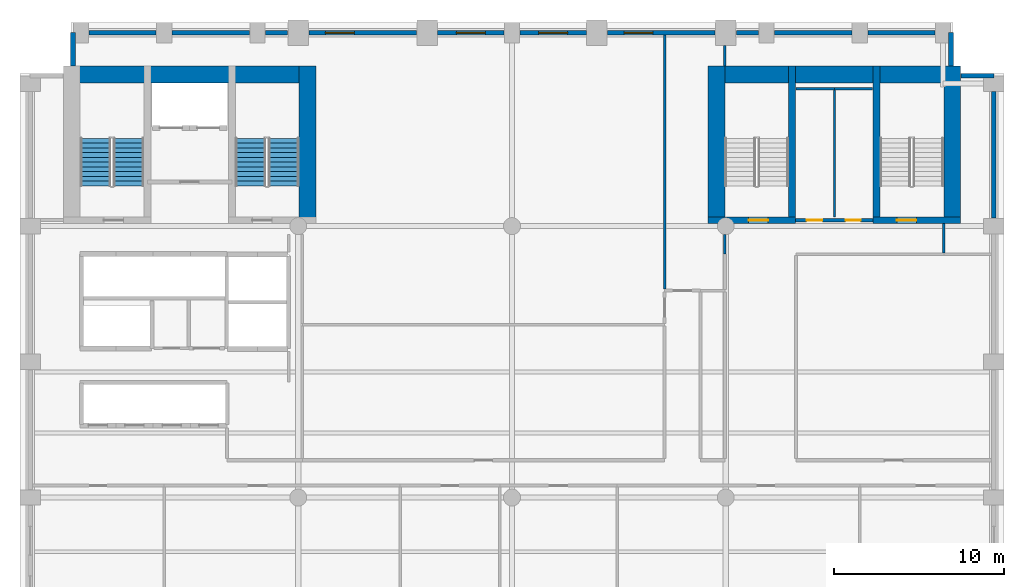
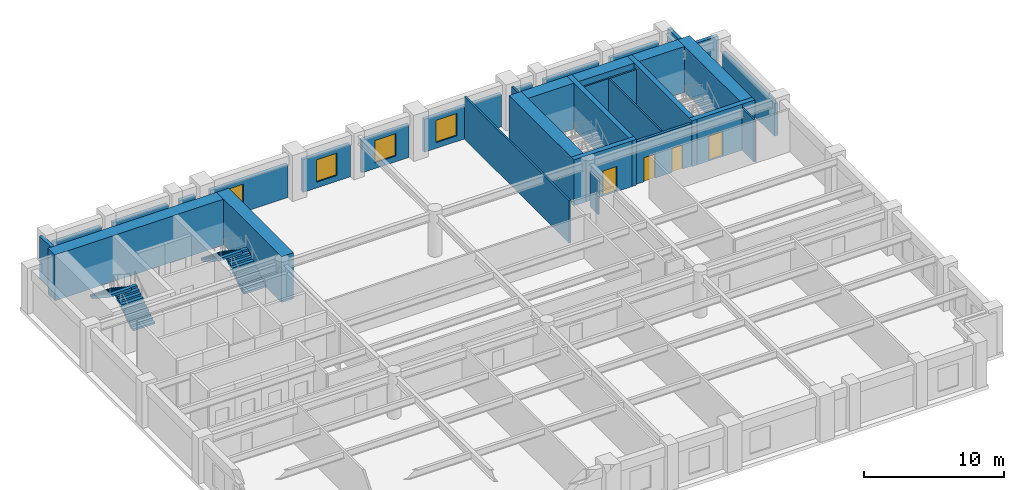
# One storey, part 5 of 8: 31 walls, 4 doors, 4 stair flights, 4 windows, 8 openings, 2 elements without a shape of their own.
"""IFC4 building model written with IfcOpenShell, lengths in metres."""

from ifc_helpers import new_model, si_unit, direction, frame, frame_2d, origin, place, context, subcontext, project, spatial, polyline, rectangle, outline, extrude, material, layer, layer_set, type_object, element, fill, aggregate, save


model = new_model("IFC4")

# Units and contexts
model_context = context("Model", 3, precision=1e-05, world=origin(), true_north=direction((0.0, 1.0)))
body_context = subcontext(model_context, "Body", "Model", "MODEL_VIEW")
ifc_project = project(units=[si_unit("LENGTHUNIT", "METRE"), si_unit("AREAUNIT", "SQUARE_METRE"), si_unit("VOLUMEUNIT", "CUBIC_METRE"), si_unit("PLANEANGLEUNIT", "RADIAN"), si_unit("MASSUNIT", "GRAM", prefix="KILO")], contexts=[model_context])

# Site, building, storey
site_placement = place(None, origin())
site = spatial("IfcSite", under=ifc_project, at=site_placement, CompositionType="ELEMENT")
building_placement = place(site_placement, origin())
building = spatial("IfcBuilding", under=site, at=building_placement, Name="Sulina Concourse Tower", CompositionType="ELEMENT")
storey_placement = place(building_placement, frame((0.0, 0.0, 70.60009765625)))
storey = spatial("IfcBuildingStorey", under=building, at=storey_placement, Name="L17", CompositionType="ELEMENT", Elevation=70.60009765625)

# Wall, openings, doors
ifc_material_1 = material(Name="Gypsum board on steel stud", Category="steel")
ifc_layer_1 = layer(ifc_material_1, 0.219970703125)
ifc_layer_set_1 = layer_set([ifc_layer_1], Name="Gypsum board on steel stud")
wall_type_1 = type_object("IfcWallType", Name="Fire-Rated Lobby & Compartment Wall 220mm", PredefinedType="PARTITIONING", material=ifc_layer_set_1)
wall_1_placement = place(storey_placement, frame((45.719970703125, 34.35009765625, 0.0), z_axis=(0.0, 0.0, 1.0), x_axis=(1.0, 0.0, 0.0)))
wall_1 = element("IfcWall", 1, at=wall_1_placement, inside=storey, type_object=wall_type_1, Name="L17 east core south lobby wall", PredefinedType="PARTITIONING", context=body_context, shape_type="SweptSolid", body=[
    extrude(rectangle(XDim=4.56005859375, YDim=0.219970703125, at=frame_2d((2.280029296875, 0.0))), origin(), (0.0, 0.0, 1.0), 3.699951171875),
])
opening_1_placement = place(wall_1_placement, frame((0.64990234375, 0.0, 0.0)))
opening_1 = element("IfcOpeningElement", 2, at=opening_1_placement, cuts=wall_1, Name="Opening DR-61", PredefinedType="OPENING", context=body_context, shape_type="SweptSolid", body=[
    extrude(rectangle(XDim=0.919921875, YDim=2.10009765625, at=frame_2d((0.4599609375, 1.050048828125))), frame((0.0, 0.119873046875, 0.0), z_axis=(0.0, -1.0, 0.0), x_axis=(1.0, 0.0, 0.0)), (0.0, 0.0, 1.0), 0.239990234375),
])
opening_2_placement = place(wall_1_placement, frame((2.949951171875, 0.0, 0.0)))
opening_2 = element("IfcOpeningElement", 3, at=opening_2_placement, cuts=wall_1, Name="Opening DR-38", PredefinedType="OPENING", context=body_context, shape_type="SweptSolid", body=[
    extrude(rectangle(XDim=0.8798828125, YDim=2.10009765625, at=frame_2d((0.43994140625, 1.050048828125))), frame((0.0, 0.119873046875, 0.0), z_axis=(0.0, -1.0, 0.0), x_axis=(1.0, 0.0, 0.0)), (0.0, 0.0, 1.0), 0.239990234375),
])
ifc_material_2 = material(Name="Oak-veneered fire door leaf")
ifc_layer_2 = layer(ifc_material_2, 0.050048828125)
ifc_layer_set_2 = layer_set([ifc_layer_2], Name="Oak-veneered fire door leaf")
door_type_1 = type_object("IfcDoorType", Name="Accessible WC Door 920x2100", OperationType="NOTDEFINED", PredefinedType="DOOR", material=ifc_layer_set_2)
door_1_placement = place(opening_1_placement, origin())
door_1 = element("IfcDoor", 4, at=door_1_placement, inside=storey, type_object=door_type_1, Name="L17 east core accessible wc door", OperationType="SINGLE_SWING_RIGHT", OverallHeight=2.10009765625, OverallWidth=0.919921875, PredefinedType="DOOR", context=body_context, shape_type="SweptSolid", body=[
    extrude(rectangle(XDim=0.919921875, YDim=2.10009765625, at=frame_2d((0.4599609375, 1.050048828125))), frame((0.0, 0.02490234375, 0.0), z_axis=(0.0, -1.0, 0.0), x_axis=(1.0, 0.0, 0.0)), (0.0, 0.0, 1.0), 0.050048828125),
])
fill(opening_1, door_1)
ifc_material_3 = material(Name="Galvanised steel acoustic fire leaf", Category="steel")
ifc_layer_3 = layer(ifc_material_3, 0.050048828125)
ifc_layer_set_3 = layer_set([ifc_layer_3], Name="Galvanised steel acoustic fire leaf")
door_type_2 = type_object("IfcDoorType", Name="Service Riser Fire Door 880x2100", OperationType="NOTDEFINED", PredefinedType="DOOR", material=ifc_layer_set_3)
door_2_placement = place(opening_2_placement, origin())
door_2 = element("IfcDoor", 5, at=door_2_placement, inside=storey, type_object=door_type_2, Name="L17 east core store door", OperationType="SINGLE_SWING_LEFT", OverallHeight=2.10009765625, OverallWidth=0.8798828125, PredefinedType="DOOR", context=body_context, shape_type="SweptSolid", body=[
    extrude(rectangle(XDim=0.8798828125, YDim=2.10009765625, at=frame_2d((0.43994140625, 1.050048828125))), frame((0.0, 0.02490234375, 0.0), z_axis=(0.0, -1.0, 0.0), x_axis=(1.0, 0.0, 0.0)), (0.0, 0.0, 1.0), 0.050048828125),
])
fill(opening_2, door_2)

# Walls
ifc_material_4 = material(Name="Gypsum board on steel stud", Category="steel")
ifc_layer_4 = layer(ifc_material_4, 0.14990234375)
ifc_layer_set_4 = layer_set([ifc_layer_4], Name="Gypsum board on steel stud")
wall_type_2 = type_object("IfcWallType", Name="Inter-Tenancy Acoustic Partition 150mm", PredefinedType="PARTITIONING", material=ifc_layer_set_4)
wall_2_placement = place(storey_placement, frame((48.0, 42.10009765625, 0.0), z_axis=(0.0, 0.0, 1.0), x_axis=(1.0, 0.0, 0.0)))
element("IfcWall", 6, at=wall_2_placement, inside=storey, type_object=wall_type_2, Name="L17 interior partition 020", PredefinedType="PARTITIONING", context=body_context, shape_type="SweptSolid", body=[
    extrude(rectangle(XDim=2.25, YDim=0.14990234375, at=frame_2d((1.125, 0.0))), origin(), (0.0, 0.0, 1.0), 3.699951171875),
])
wall_3_placement = place(storey_placement, frame((38.0, 30.2900390625, 0.0), z_axis=(0.0, 0.0, 1.0), x_axis=(0.0, 1.0, 0.0)))
element("IfcWall", 7, at=wall_3_placement, inside=storey, type_object=wall_type_2, Name="L17 interior partition 033", PredefinedType="PARTITIONING", context=body_context, shape_type="SweptSolid", body=[
    extrude(rectangle(XDim=14.969970703125, YDim=0.14990234375, at=frame_2d((7.48486328125, 0.0))), origin(), (0.0, 0.0, 1.0), 3.699951171875),
])
wall_4_placement = place(storey_placement, frame((41.550048828125, 32.35009765625, 0.0), z_axis=(0.0, 0.0, 1.0), x_axis=(0.0, 1.0, 0.0)))
element("IfcWall", 8, at=wall_4_placement, inside=storey, type_object=wall_type_2, Name="L17 interior partition 037", PredefinedType="PARTITIONING", context=body_context, shape_type="SweptSolid", body=[
    extrude(rectangle(XDim=1.14990234375, YDim=0.14990234375, at=frame_2d((0.574951171875, 0.0))), origin(), (0.0, 0.0, 1.0), 2.994873046875),
])
wall_5_placement = place(storey_placement, frame((41.550048828125, 43.429931640625, 0.0), z_axis=(0.0, 0.0, 1.0), x_axis=(0.0, 1.0, 0.0)))
element("IfcWall", 9, at=wall_5_placement, inside=storey, type_object=wall_type_2, Name="L17 interior partition 038", PredefinedType="PARTITIONING", context=body_context, shape_type="SweptSolid", body=[
    extrude(rectangle(XDim=1.219970703125, YDim=0.14990234375, at=frame_2d((0.60986328125, 0.0))), origin(), (0.0, 0.0, 1.0), 3.699951171875),
])
wall_6_placement = place(storey_placement, frame((54.449951171875, 32.425048828125, 0.0), z_axis=(0.0, 0.0, 1.0), x_axis=(0.0, 1.0, 0.0)))
element("IfcWall", 10, at=wall_6_placement, inside=storey, type_object=wall_type_2, Name="L17 interior partition 042", PredefinedType="PARTITIONING", context=body_context, shape_type="SweptSolid", body=[
    extrude(rectangle(XDim=1.724853515625, YDim=0.14990234375, at=frame_2d((0.8623046875, 0.0))), origin(), (0.0, 0.0, 1.0), 3.699951171875),
])

# Wall, opening, door
ifc_material_5 = material(Name="Concrete C60/75", Category="concrete")
ifc_layer_5 = layer(ifc_material_5, 0.39990234375)
ifc_layer_set_5 = layer_set([ifc_layer_5], Name="Concrete C60/75")
wall_type_3 = type_object("IfcWallType", Name="Protected Stair Core Shear Wall 400mm", PredefinedType="SHEAR", material=ifc_layer_set_5)
wall_7_placement = place(storey_placement, frame((40.550048828125, 34.35009765625, 0.0), z_axis=(0.0, 0.0, 1.0), x_axis=(1.0, 0.0, 0.0)))
wall_7 = element("IfcWall", 11, at=wall_7_placement, inside=storey, type_object=wall_type_3, Name="L17 east core shear wall CW-ES1", PredefinedType="SHEAR", context=body_context, shape_type="SweptSolid", body=[
    extrude(rectangle(XDim=5.159912109375, YDim=0.39990234375, at=frame_2d((2.580078125, 0.0))), origin(), (0.0, 0.0, 1.0), 4.0),
])
opening_3_placement = place(wall_7_placement, frame((2.39990234375, 0.0, 0.0)))
opening_3 = element("IfcOpeningElement", 12, at=opening_3_placement, cuts=wall_7, Name="Opening DR-60", PredefinedType="OPENING", context=body_context, shape_type="SweptSolid", body=[
    extrude(rectangle(XDim=1.14990234375, YDim=2.199951171875, at=frame_2d((0.574951171875, 1.10009765625))), frame((0.0, 0.2099609375, 0.0), z_axis=(0.0, -1.0, 0.0), x_axis=(1.0, 0.0, 0.0)), (0.0, 0.0, 1.0), 0.419921875),
])
ifc_material_6 = material(Name="Galvanised steel acoustic fire leaf", Category="steel")
ifc_layer_6 = layer(ifc_material_6, 0.054931640625)
ifc_layer_set_6 = layer_set([ifc_layer_6], Name="Galvanised steel acoustic fire leaf")
door_type_3 = type_object("IfcDoorType", Name="Protected Exit Stair Fire Door 1150x2200", OperationType="NOTDEFINED", PredefinedType="DOOR", material=ifc_layer_set_6)
door_3_placement = place(opening_3_placement, origin())
door_3 = element("IfcDoor", 13, at=door_3_placement, inside=storey, type_object=door_type_3, Name="L17 stair ST-3 south lobby fire door", OperationType="SINGLE_SWING_LEFT", OverallHeight=2.199951171875, OverallWidth=1.14990234375, PredefinedType="DOOR", context=body_context, shape_type="SweptSolid", body=[
    extrude(rectangle(XDim=1.14990234375, YDim=2.199951171875, at=frame_2d((0.574951171875, 1.10009765625))), frame((0.0, 0.02490234375, 0.0), z_axis=(0.0, -1.0, 0.0), x_axis=(1.0, 0.0, 0.0)), (0.0, 0.0, 1.0), 0.050048828125),
])
fill(opening_3, door_3)

# Wall
wall_8_placement = place(storey_placement, frame((45.510009765625, 34.14990234375, 0.0), z_axis=(0.0, 0.0, 1.0), x_axis=(0.0, 1.0, 0.0)))
element("IfcWall", 14, at=wall_8_placement, inside=storey, type_object=wall_type_3, Name="L17 east core shear wall SW-ST3", PredefinedType="SHEAR", context=body_context, shape_type="SweptSolid", body=[
    extrude(rectangle(XDim=9.280029296875, YDim=0.39990234375, at=frame_2d((4.64013671875, 0.0))), origin(), (0.0, 0.0, 1.0), 4.0),
])

# Wall, opening, door
wall_9_placement = place(storey_placement, frame((50.2900390625, 34.35009765625, 0.0), z_axis=(0.0, 0.0, 1.0), x_axis=(1.0, 0.0, 0.0)))
wall_9 = element("IfcWall", 15, at=wall_9_placement, inside=storey, type_object=wall_type_3, Name="L17 east core shear wall CW-ES2", PredefinedType="SHEAR", context=body_context, shape_type="SweptSolid", body=[
    extrude(rectangle(XDim=5.159912109375, YDim=0.39990234375, at=frame_2d((2.580078125, 0.0))), origin(), (0.0, 0.0, 1.0), 4.0),
])
opening_4_placement = place(wall_9_placement, frame((1.39990234375, 0.0, 0.0)))
opening_4 = element("IfcOpeningElement", 16, at=opening_4_placement, cuts=wall_9, Name="Opening DR-60", PredefinedType="OPENING", context=body_context, shape_type="SweptSolid", body=[
    extrude(rectangle(XDim=1.14990234375, YDim=2.199951171875, at=frame_2d((0.574951171875, 1.10009765625))), frame((0.0, 0.2099609375, 0.0), z_axis=(0.0, -1.0, 0.0), x_axis=(1.0, 0.0, 0.0)), (0.0, 0.0, 1.0), 0.419921875),
])
door_4_placement = place(opening_4_placement, origin())
door_4 = element("IfcDoor", 17, at=door_4_placement, inside=storey, type_object=door_type_3, Name="L17 stair ST-4 south lobby fire door", OperationType="SINGLE_SWING_RIGHT", OverallHeight=2.199951171875, OverallWidth=1.14990234375, PredefinedType="DOOR", context=body_context, shape_type="SweptSolid", body=[
    extrude(rectangle(XDim=1.14990234375, YDim=2.199951171875, at=frame_2d((0.574951171875, 1.10009765625))), frame((0.0, 0.02490234375, 0.0), z_axis=(0.0, -1.0, 0.0), x_axis=(1.0, 0.0, 0.0)), (0.0, 0.0, 1.0), 0.050048828125),
])
fill(opening_4, door_4)

# Walls
wall_10_placement = place(storey_placement, frame((50.489990234375, 34.14990234375, 0.0), z_axis=(0.0, 0.0, 1.0), x_axis=(0.0, 1.0, 0.0)))
element("IfcWall", 18, at=wall_10_placement, inside=storey, type_object=wall_type_3, Name="L17 east core shear wall SW-ST4", PredefinedType="SHEAR", context=body_context, shape_type="SweptSolid", body=[
    extrude(rectangle(XDim=9.280029296875, YDim=0.39990234375, at=frame_2d((4.64013671875, 0.0))), origin(), (0.0, 0.0, 1.0), 4.0),
])
ifc_material_7 = material(Name="Concrete C80/95", Category="concrete")
ifc_layer_7 = layer(ifc_material_7, 1.0)
ifc_layer_set_7 = layer_set([ifc_layer_7], Name="Concrete C80/95")
wall_type_4 = type_object("IfcWallType", Name="Rear Core Shear Wall 1000mm", PredefinedType="SHEAR", material=ifc_layer_set_7)
wall_11_placement = place(storey_placement, frame((2.550048828125, 42.929931640625, 0.0), z_axis=(0.0, 0.0, 1.0), x_axis=(1.0, 0.0, 0.0)))
element("IfcWall", 19, at=wall_11_placement, inside=storey, type_object=wall_type_4, Name="L17 west core shear wall CW-WN", PredefinedType="SHEAR", context=body_context, shape_type="SweptSolid", body=[
    extrude(rectangle(XDim=14.89990234375, YDim=1.0, at=frame_2d((7.449951171875, 0.0))), origin(), (0.0, 0.0, 1.0), 4.0),
])
wall_12_placement = place(storey_placement, frame((16.949951171875, 34.14990234375, 0.0), z_axis=(0.0, 0.0, 1.0), x_axis=(0.0, 1.0, 0.0)))
element("IfcWall", 20, at=wall_12_placement, inside=storey, type_object=wall_type_4, Name="L17 west core shear wall CW-WE", PredefinedType="SHEAR", context=body_context, shape_type="SweptSolid", body=[
    extrude(rectangle(XDim=9.280029296875, YDim=1.0, at=frame_2d((4.64013671875, 0.0))), origin(), (0.0, 0.0, 1.0), 4.0),
])
wall_13_placement = place(storey_placement, frame((40.550048828125, 42.929931640625, 0.0), z_axis=(0.0, 0.0, 1.0), x_axis=(1.0, 0.0, 0.0)))
element("IfcWall", 21, at=wall_13_placement, inside=storey, type_object=wall_type_4, Name="L17 east core shear wall CW-EN", PredefinedType="SHEAR", context=body_context, shape_type="SweptSolid", body=[
    extrude(rectangle(XDim=14.89990234375, YDim=1.0, at=frame_2d((7.449951171875, 0.0))), origin(), (0.0, 0.0, 1.0), 4.0),
])
for number, where, z_axis, x_axis, name in (
    (22, (41.050048828125, 34.14990234375, 0.0), (0.0, 0.0, 1.0), (0.0, 1.0, 0.0), "L17 east core shear wall CW-EW"),
    (23, (54.949951171875, 34.14990234375, 0.0), (0.0, 0.0, 1.0), (0.0, 1.0, 0.0), "L17 east core shear wall CW-EE"),
):
    element("IfcWall", number, at=place(storey_placement, frame(where, z_axis=z_axis, x_axis=x_axis)), inside=storey, type_object=wall_type_4, Name=name, PredefinedType="SHEAR", context=body_context, shape_type="SweptSolid", body=[
        extrude(rectangle(XDim=9.280029296875, YDim=1.0, at=frame_2d((4.64013671875, 0.0))), origin(), (0.0, 0.0, 1.0), 4.0),
    ])
ifc_material_8 = material(Name="Precast concrete C50/60", Category="concrete")
ifc_layer_8 = layer(ifc_material_8, 0.280029296875)
ifc_layer_set_8 = layer_set([ifc_layer_8], Name="Precast concrete C50/60")
wall_type_5 = type_object("IfcWallType", Name="Typical Precast Masonry-Frame Facade Wall 280mm", PredefinedType="SOLIDWALL", material=ifc_layer_set_8)
wall_14_placement = place(storey_placement, frame((4.070068359375, 45.39990234375, 0.0), z_axis=(0.0, 0.0, 1.0), x_axis=(1.0, 0.0, 0.0)))
element("IfcWall", 24, at=wall_14_placement, inside=storey, type_object=wall_type_5, Name="L17 exterior precast wall N1", PredefinedType="SOLIDWALL", context=body_context, shape_type="SweptSolid", body=[
    extrude(rectangle(XDim=3.9599609375, YDim=0.280029296875, at=frame_2d((1.97998046875, 0.0))), origin(), (0.0, 0.0, 1.0), 2.849853515625),
])
wall_15_placement = place(storey_placement, frame((8.969970703125, 45.39990234375, 0.0), z_axis=(0.0, 0.0, 1.0), x_axis=(1.0, 0.0, 0.0)))
element("IfcWall", 25, at=wall_15_placement, inside=storey, type_object=wall_type_5, Name="L17 exterior precast wall N2", PredefinedType="SOLIDWALL", context=body_context, shape_type="SweptSolid", body=[
    extrude(rectangle(XDim=4.56005859375, YDim=0.280029296875, at=frame_2d((2.280029296875, 0.0))), origin(), (0.0, 0.0, 1.0), 2.849853515625),
])
wall_16_placement = place(storey_placement, frame((14.469970703125, 45.39990234375, 0.0), z_axis=(0.0, 0.0, 1.0), x_axis=(1.0, 0.0, 0.0)))
element("IfcWall", 26, at=wall_16_placement, inside=storey, type_object=wall_type_5, Name="L17 exterior precast wall N3", PredefinedType="SOLIDWALL", context=body_context, shape_type="SweptSolid", body=[
    extrude(rectangle(XDim=1.31005859375, YDim=0.280029296875, at=frame_2d((0.655029296875, 0.0))), origin(), (0.0, 0.0, 1.0), 2.849853515625),
])

# Wall, opening, window
wall_17_placement = place(storey_placement, frame((17.02001953125, 45.39990234375, 0.0), z_axis=(0.0, 0.0, 1.0), x_axis=(1.0, 0.0, 0.0)))
wall_17 = element("IfcWall", 27, at=wall_17_placement, inside=storey, type_object=wall_type_5, Name="L17 exterior precast wall N4", PredefinedType="SOLIDWALL", context=body_context, shape_type="SweptSolid", body=[
    extrude(rectangle(XDim=6.35986328125, YDim=0.280029296875, at=frame_2d((3.179931640625, 0.0))), origin(), (0.0, 0.0, 1.0), 2.849853515625),
])
opening_5_placement = place(wall_17_placement, frame((0.98681640625, 0.0, 0.5)))
opening_5 = element("IfcOpeningElement", 28, at=opening_5_placement, cuts=wall_17, Name="Opening WN-66", PredefinedType="OPENING", context=body_context, shape_type="SweptSolid", body=[
    extrude(rectangle(XDim=1.699951171875, YDim=1.949951171875, at=frame_2d((0.85009765625, 0.97509765625))), frame((0.0, 0.14990234375, 0.0), z_axis=(0.0, -1.0, 0.0), x_axis=(1.0, 0.0, 0.0)), (0.0, 0.0, 1.0), 0.300048828125),
])
ifc_material_9 = material(Name="Low-E solar double glazing in bronze aluminium", Category="aluminium")
window_type = type_object("IfcWindowType", Name="Recessed Spandrel Window 1700x1950", PartitioningType="SINGLE_PANEL", PredefinedType="WINDOW", material=ifc_material_9)
window_1_placement = place(opening_5_placement, origin())
window_1 = element("IfcWindow", 29, at=window_1_placement, inside=storey, type_object=window_type, Name="L17 punched window N4-1", OverallHeight=1.949951171875, OverallWidth=1.699951171875, PartitioningType="SINGLE_PANEL", PredefinedType="WINDOW", context=body_context, shape_type="SweptSolid", body=[
    extrude(rectangle(XDim=1.699951171875, YDim=1.949951171875, at=frame_2d((0.85009765625, 0.97509765625))), frame((0.0, 0.030029296875, 0.0), z_axis=(0.0, -1.0, 0.0), x_axis=(1.0, 0.0, 0.0)), (0.0, 0.0, 1.0), 0.06005859375),
])
fill(opening_5, window_1)

wall_18_placement = place(storey_placement, frame((24.6201171875, 45.39990234375, 0.0), z_axis=(0.0, 0.0, 1.0), x_axis=(1.0, 0.0, 0.0)))
wall_18 = element("IfcWall", 30, at=wall_18_placement, inside=storey, type_object=wall_type_5, Name="L17 exterior precast wall N5", PredefinedType="SOLIDWALL", context=body_context, shape_type="SweptSolid", body=[
    extrude(rectangle(XDim=3.909912109375, YDim=0.280029296875, at=frame_2d((1.955078125, 0.0))), origin(), (0.0, 0.0, 1.0), 2.849853515625),
])
opening_6_placement = place(wall_18_placement, frame((1.10498046875, 0.0, 0.5)))
opening_6 = element("IfcOpeningElement", 31, at=opening_6_placement, cuts=wall_18, Name="Opening WN-66", PredefinedType="OPENING", context=body_context, shape_type="SweptSolid", body=[
    extrude(rectangle(XDim=1.699951171875, YDim=1.949951171875, at=frame_2d((0.85009765625, 0.97509765625))), frame((0.0, 0.14990234375, 0.0), z_axis=(0.0, -1.0, 0.0), x_axis=(1.0, 0.0, 0.0)), (0.0, 0.0, 1.0), 0.300048828125),
])
window_2_placement = place(opening_6_placement, origin())
window_2 = element("IfcWindow", 32, at=window_2_placement, inside=storey, type_object=window_type, Name="L17 punched window N5-1", OverallHeight=1.949951171875, OverallWidth=1.699951171875, PartitioningType="SINGLE_PANEL", PredefinedType="WINDOW", context=body_context, shape_type="SweptSolid", body=[
    extrude(rectangle(XDim=1.699951171875, YDim=1.949951171875, at=frame_2d((0.85009765625, 0.97509765625))), frame((0.0, 0.030029296875, 0.0), z_axis=(0.0, -1.0, 0.0), x_axis=(1.0, 0.0, 0.0)), (0.0, 0.0, 1.0), 0.06005859375),
])
fill(opening_6, window_2)

wall_19_placement = place(storey_placement, frame((29.469970703125, 45.39990234375, 0.0), z_axis=(0.0, 0.0, 1.0), x_axis=(1.0, 0.0, 0.0)))
wall_19 = element("IfcWall", 33, at=wall_19_placement, inside=storey, type_object=wall_type_5, Name="L17 exterior precast wall N6", PredefinedType="SOLIDWALL", context=body_context, shape_type="SweptSolid", body=[
    extrude(rectangle(XDim=3.909912109375, YDim=0.280029296875, at=frame_2d((1.955078125, 0.0))), origin(), (0.0, 0.0, 1.0), 2.849853515625),
])
opening_7_placement = place(wall_19_placement, frame((1.10498046875, 0.0, 0.5)))
opening_7 = element("IfcOpeningElement", 34, at=opening_7_placement, cuts=wall_19, Name="Opening WN-66", PredefinedType="OPENING", context=body_context, shape_type="SweptSolid", body=[
    extrude(rectangle(XDim=1.699951171875, YDim=1.949951171875, at=frame_2d((0.85009765625, 0.97509765625))), frame((0.0, 0.14990234375, 0.0), z_axis=(0.0, -1.0, 0.0), x_axis=(1.0, 0.0, 0.0)), (0.0, 0.0, 1.0), 0.300048828125),
])
window_3_placement = place(opening_7_placement, origin())
window_3 = element("IfcWindow", 35, at=window_3_placement, inside=storey, type_object=window_type, Name="L17 punched window N6-1", OverallHeight=1.949951171875, OverallWidth=1.699951171875, PartitioningType="SINGLE_PANEL", PredefinedType="WINDOW", context=body_context, shape_type="SweptSolid", body=[
    extrude(rectangle(XDim=1.699951171875, YDim=1.949951171875, at=frame_2d((0.85009765625, 0.97509765625))), frame((0.0, 0.030029296875, 0.0), z_axis=(0.0, -1.0, 0.0), x_axis=(1.0, 0.0, 0.0)), (0.0, 0.0, 1.0), 0.06005859375),
])
fill(opening_7, window_3)

wall_20_placement = place(storey_placement, frame((34.6201171875, 45.39990234375, 0.0), z_axis=(0.0, 0.0, 1.0), x_axis=(1.0, 0.0, 0.0)))
wall_20 = element("IfcWall", 36, at=wall_20_placement, inside=storey, type_object=wall_type_5, Name="L17 exterior precast wall N7", PredefinedType="SOLIDWALL", context=body_context, shape_type="SweptSolid", body=[
    extrude(rectangle(XDim=6.35986328125, YDim=0.280029296875, at=frame_2d((3.179931640625, 0.0))), origin(), (0.0, 0.0, 1.0), 2.849853515625),
])
opening_8_placement = place(wall_20_placement, frame((0.98681640625, 0.0, 0.5)))
opening_8 = element("IfcOpeningElement", 37, at=opening_8_placement, cuts=wall_20, Name="Opening WN-66", PredefinedType="OPENING", context=body_context, shape_type="SweptSolid", body=[
    extrude(rectangle(XDim=1.699951171875, YDim=1.949951171875, at=frame_2d((0.85009765625, 0.97509765625))), frame((0.0, 0.14990234375, 0.0), z_axis=(0.0, -1.0, 0.0), x_axis=(1.0, 0.0, 0.0)), (0.0, 0.0, 1.0), 0.300048828125),
])
window_4_placement = place(opening_8_placement, origin())
window_4 = element("IfcWindow", 38, at=window_4_placement, inside=storey, type_object=window_type, Name="L17 punched window N7-1", OverallHeight=1.949951171875, OverallWidth=1.699951171875, PartitioningType="SINGLE_PANEL", PredefinedType="WINDOW", context=body_context, shape_type="SweptSolid", body=[
    extrude(rectangle(XDim=1.699951171875, YDim=1.949951171875, at=frame_2d((0.85009765625, 0.97509765625))), frame((0.0, 0.030029296875, 0.0), z_axis=(0.0, -1.0, 0.0), x_axis=(1.0, 0.0, 0.0)), (0.0, 0.0, 1.0), 0.06005859375),
])
fill(opening_8, window_4)

# Walls
wall_21_placement = place(storey_placement, frame((42.219970703125, 45.39990234375, 0.0), z_axis=(0.0, 0.0, 1.0), x_axis=(1.0, 0.0, 0.0)))
element("IfcWall", 39, at=wall_21_placement, inside=storey, type_object=wall_type_5, Name="L17 exterior precast wall N8", PredefinedType="SOLIDWALL", context=body_context, shape_type="SweptSolid", body=[
    extrude(rectangle(XDim=1.31005859375, YDim=0.280029296875, at=frame_2d((0.655029296875, 0.0))), origin(), (0.0, 0.0, 1.0), 2.849853515625),
])
wall_22_placement = place(storey_placement, frame((44.469970703125, 45.39990234375, 0.0), z_axis=(0.0, 0.0, 1.0), x_axis=(1.0, 0.0, 0.0)))
element("IfcWall", 40, at=wall_22_placement, inside=storey, type_object=wall_type_5, Name="L17 exterior precast wall N9", PredefinedType="SOLIDWALL", context=body_context, shape_type="SweptSolid", body=[
    extrude(rectangle(XDim=4.56005859375, YDim=0.280029296875, at=frame_2d((2.280029296875, 0.0))), origin(), (0.0, 0.0, 1.0), 2.849853515625),
])
wall_23_placement = place(storey_placement, frame((49.969970703125, 45.39990234375, 0.0), z_axis=(0.0, 0.0, 1.0), x_axis=(1.0, 0.0, 0.0)))
element("IfcWall", 41, at=wall_23_placement, inside=storey, type_object=wall_type_5, Name="L17 exterior precast wall N10", PredefinedType="SOLIDWALL", context=body_context, shape_type="SweptSolid", body=[
    extrude(rectangle(XDim=3.9599609375, YDim=0.280029296875, at=frame_2d((1.97998046875, 0.0))), origin(), (0.0, 0.0, 1.0), 2.849853515625),
])
wall_24_placement = place(storey_placement, frame((57.39990234375, 41.929931640625, 0.0), z_axis=(0.0, 0.0, 1.0), x_axis=(0.0, -1.0, 0.0)))
element("IfcWall", 42, at=wall_24_placement, inside=storey, type_object=wall_type_5, Name="L17 exterior precast wall E5", PredefinedType="SOLIDWALL", context=body_context, shape_type="SweptSolid", body=[
    extrude(rectangle(XDim=7.4599609375, YDim=0.280029296875, at=frame_2d((3.72998046875, 0.0))), origin(), (0.0, 0.0, 1.0), 2.849853515625),
])
for number, where, z_axis, x_axis, name in (
    (43, (3.1298828125, 43.43505859375, 0.0), (0.0, 0.0, 1.0), (0.0, 1.0, 0.0), "L17 exterior precast wall CNW2"),
    (44, (54.8701171875, 45.39990234375, 0.0), (0.0, 0.0, 1.0), (0.0, -1.0, 0.0), "L17 exterior precast wall CNE1"),
):
    element("IfcWall", number, at=place(storey_placement, frame(where, z_axis=z_axis, x_axis=x_axis)), inside=storey, type_object=wall_type_5, Name=name, PredefinedType="SOLIDWALL", context=body_context, shape_type="SweptSolid", body=[
        extrude(rectangle(XDim=1.96484375, YDim=0.280029296875, at=frame_2d((0.982421875, 0.0))), origin(), (0.0, 0.0, 1.0), 3.699951171875),
    ])
wall_25_placement = place(storey_placement, frame((55.455078125, 42.8701171875, 0.0), z_axis=(0.0, 0.0, 1.0), x_axis=(1.0, 0.0, 0.0)))
element("IfcWall", 45, at=wall_25_placement, inside=storey, type_object=wall_type_5, Name="L17 exterior precast wall CNE2", PredefinedType="SOLIDWALL", context=body_context, shape_type="SweptSolid", body=[
    extrude(rectangle(XDim=1.94482421875, YDim=0.280029296875, at=frame_2d((0.972412109375, 0.0))), origin(), (0.0, 0.0, 1.0), 3.699951171875),
])
ifc_material_10 = material(Name="Gypsum board on steel stud", Category="steel")
ifc_layer_9 = layer(ifc_material_10, 0.125)
ifc_layer_set_9 = layer_set([ifc_layer_9], Name="Gypsum board on steel stud")
wall_type_6 = type_object("IfcWallType", Name="Wet-Area Moisture-Resistant Partition 125mm", PredefinedType="PARTITIONING", material=ifc_layer_set_9)
wall_26_placement = place(storey_placement, frame((45.75, 42.10009765625, 0.0), z_axis=(0.0, 0.0, 1.0), x_axis=(1.0, 0.0, 0.0)))
element("IfcWall", 46, at=wall_26_placement, inside=storey, type_object=wall_type_6, Name="L17 interior partition 019", PredefinedType="PARTITIONING", context=body_context, shape_type="SweptSolid", body=[
    extrude(rectangle(XDim=2.25, YDim=0.125, at=frame_2d((1.125, 0.0))), origin(), (0.0, 0.0, 1.0), 3.699951171875),
])
wall_27_placement = place(storey_placement, frame((48.0, 34.550048828125, 0.0), z_axis=(0.0, 0.0, 1.0), x_axis=(0.0, 1.0, 0.0)))
element("IfcWall", 47, at=wall_27_placement, inside=storey, type_object=wall_type_6, Name="L17 interior partition 040", PredefinedType="PARTITIONING", context=body_context, shape_type="SweptSolid", body=[
    extrude(rectangle(XDim=7.474853515625, YDim=0.125, at=frame_2d((3.7373046875, 0.0))), origin(), (0.0, 0.0, 1.0), 3.699951171875),
])

# Stair, stair flights
ifc_material_11 = material(Name="Concrete C50/60", Category="concrete")
stair_type = type_object("IfcStairType", Name="Primary Core Dog-Leg Exit Stair 1800mm", PredefinedType="HALF_TURN_STAIR", material=ifc_material_11)
stair_1_placement = place(storey_placement, origin())
stair_1 = element("IfcStair", 48, at=stair_1_placement, inside=storey, type_object=stair_type, Name="L17 ST-1", PredefinedType="HALF_TURN_STAIR")
ifc_material_12 = material(Name="Concrete C50/60", Category="concrete")
stair_flight_type = type_object("IfcStairFlightType", Name="Primary Core Dog-Leg Exit Stair 1800mm Flight", PredefinedType="STRAIGHT", material=ifc_material_12)
stair_flight_1_placement = place(storey_placement, frame((6.405029296875, 36.375, 0.0), z_axis=(0.0, 0.0, 1.0), x_axis=(0.0, 1.0, 0.0)))
stair_flight_1 = element("IfcStairFlight", 49, at=stair_flight_1_placement, type_object=stair_flight_type, Name="ST-1 flight 1", NumberOfRisers=11, NumberOfTreads=10, PredefinedType="STRAIGHT", RiserHeight=0.181818182, TreadLength=0.28, context=body_context, shape_type="SweptSolid", body=[
    extrude(outline(polyline([(0.0, 0.0), (0.0, 0.181884765625), (0.280029296875, 0.181884765625), (0.280029296875, 0.363525390625), (0.56005859375, 0.363525390625), (0.56005859375, 0.54541015625), (0.840087890625, 0.54541015625), (0.840087890625, 0.727294921875), (1.1201171875, 0.727294921875), (1.1201171875, 0.9091796875), (1.39990234375, 0.9091796875), (1.39990234375, 1.0908203125), (1.679931640625, 1.0908203125), (1.679931640625, 1.272705078125), (1.9599609375, 1.272705078125), (1.9599609375, 1.45458984375), (2.239990234375, 1.45458984375), (2.239990234375, 1.636474609375), (2.52001953125, 1.636474609375), (2.52001953125, 1.818115234375), (2.800048828125, 1.818115234375), (2.800048828125, 2.0), (2.800048828125, 1.603759765625), (0.330322265625, 0.0), (0.0, 0.0)])), frame((0.0, 0.89990234375, 0.0), z_axis=(0.0, -1.0, 0.0), x_axis=(1.0, 0.0, 0.0)), (0.0, 0.0, 1.0), 1.800048828125),
])
stair_flight_2_placement = place(storey_placement, frame((4.455078125, 39.175048828125, 2.0), z_axis=(0.0, 0.0, 1.0), x_axis=(0.0, -1.0, 0.0)))
stair_flight_2 = element("IfcStairFlight", 50, at=stair_flight_2_placement, type_object=stair_flight_type, Name="ST-1 flight 2", NumberOfRisers=11, NumberOfTreads=10, PredefinedType="STRAIGHT", RiserHeight=0.181818182, TreadLength=0.28, context=body_context, shape_type="SweptSolid", body=[
    extrude(outline(polyline([(0.0, 0.0), (0.0, 0.181884765625), (0.280029296875, 0.181884765625), (0.280029296875, 0.363525390625), (0.56005859375, 0.363525390625), (0.56005859375, 0.54541015625), (0.840087890625, 0.54541015625), (0.840087890625, 0.727294921875), (1.1201171875, 0.727294921875), (1.1201171875, 0.9091796875), (1.39990234375, 0.9091796875), (1.39990234375, 1.0908203125), (1.679931640625, 1.0908203125), (1.679931640625, 1.272705078125), (1.9599609375, 1.272705078125), (1.9599609375, 1.45458984375), (2.239990234375, 1.45458984375), (2.239990234375, 1.636474609375), (2.52001953125, 1.636474609375), (2.52001953125, 1.818115234375), (2.800048828125, 1.818115234375), (2.800048828125, 2.0), (2.800048828125, 1.603759765625), (0.330322265625, 0.0), (0.0, 0.0)])), frame((0.0, 0.89990234375, 0.0), z_axis=(0.0, -1.0, 0.0), x_axis=(1.0, 0.0, 0.0)), (0.0, 0.0, 1.0), 1.800048828125),
])
aggregate(stair_1, [stair_flight_1, stair_flight_2])

stair_2_placement = place(storey_placement, origin())
stair_2 = element("IfcStair", 51, at=stair_2_placement, inside=storey, type_object=stair_type, Name="L17 ST-2", PredefinedType="HALF_TURN_STAIR")
stair_flight_3_placement = place(storey_placement, frame((15.544921875, 36.375, 0.0), z_axis=(0.0, 0.0, 1.0), x_axis=(0.0, 1.0, 0.0)))
stair_flight_3 = element("IfcStairFlight", 52, at=stair_flight_3_placement, type_object=stair_flight_type, Name="ST-2 flight 1", NumberOfRisers=11, NumberOfTreads=10, PredefinedType="STRAIGHT", RiserHeight=0.181818182, TreadLength=0.28, context=body_context, shape_type="SweptSolid", body=[
    extrude(outline(polyline([(0.0, 0.0), (0.0, 0.181884765625), (0.280029296875, 0.181884765625), (0.280029296875, 0.363525390625), (0.56005859375, 0.363525390625), (0.56005859375, 0.54541015625), (0.840087890625, 0.54541015625), (0.840087890625, 0.727294921875), (1.1201171875, 0.727294921875), (1.1201171875, 0.9091796875), (1.39990234375, 0.9091796875), (1.39990234375, 1.0908203125), (1.679931640625, 1.0908203125), (1.679931640625, 1.272705078125), (1.9599609375, 1.272705078125), (1.9599609375, 1.45458984375), (2.239990234375, 1.45458984375), (2.239990234375, 1.636474609375), (2.52001953125, 1.636474609375), (2.52001953125, 1.818115234375), (2.800048828125, 1.818115234375), (2.800048828125, 2.0), (2.800048828125, 1.603759765625), (0.330322265625, 0.0), (0.0, 0.0)])), frame((0.0, 0.89990234375, 0.0), z_axis=(0.0, -1.0, 0.0), x_axis=(1.0, 0.0, 0.0)), (0.0, 0.0, 1.0), 1.800048828125),
])
stair_flight_4_placement = place(storey_placement, frame((13.594970703125, 39.175048828125, 2.0), z_axis=(0.0, 0.0, 1.0), x_axis=(0.0, -1.0, 0.0)))
stair_flight_4 = element("IfcStairFlight", 53, at=stair_flight_4_placement, type_object=stair_flight_type, Name="ST-2 flight 2", NumberOfRisers=11, NumberOfTreads=10, PredefinedType="STRAIGHT", RiserHeight=0.181818182, TreadLength=0.28, context=body_context, shape_type="SweptSolid", body=[
    extrude(outline(polyline([(0.0, 0.0), (0.0, 0.181884765625), (0.280029296875, 0.181884765625), (0.280029296875, 0.363525390625), (0.56005859375, 0.363525390625), (0.56005859375, 0.54541015625), (0.840087890625, 0.54541015625), (0.840087890625, 0.727294921875), (1.1201171875, 0.727294921875), (1.1201171875, 0.9091796875), (1.39990234375, 0.9091796875), (1.39990234375, 1.0908203125), (1.679931640625, 1.0908203125), (1.679931640625, 1.272705078125), (1.9599609375, 1.272705078125), (1.9599609375, 1.45458984375), (2.239990234375, 1.45458984375), (2.239990234375, 1.636474609375), (2.52001953125, 1.636474609375), (2.52001953125, 1.818115234375), (2.800048828125, 1.818115234375), (2.800048828125, 2.0), (2.800048828125, 1.603759765625), (0.330322265625, 0.0), (0.0, 0.0)])), frame((0.0, 0.89990234375, 0.0), z_axis=(0.0, -1.0, 0.0), x_axis=(1.0, 0.0, 0.0)), (0.0, 0.0, 1.0), 1.800048828125),
])
aggregate(stair_2, [stair_flight_3, stair_flight_4])

save(model, "model.ifc")
